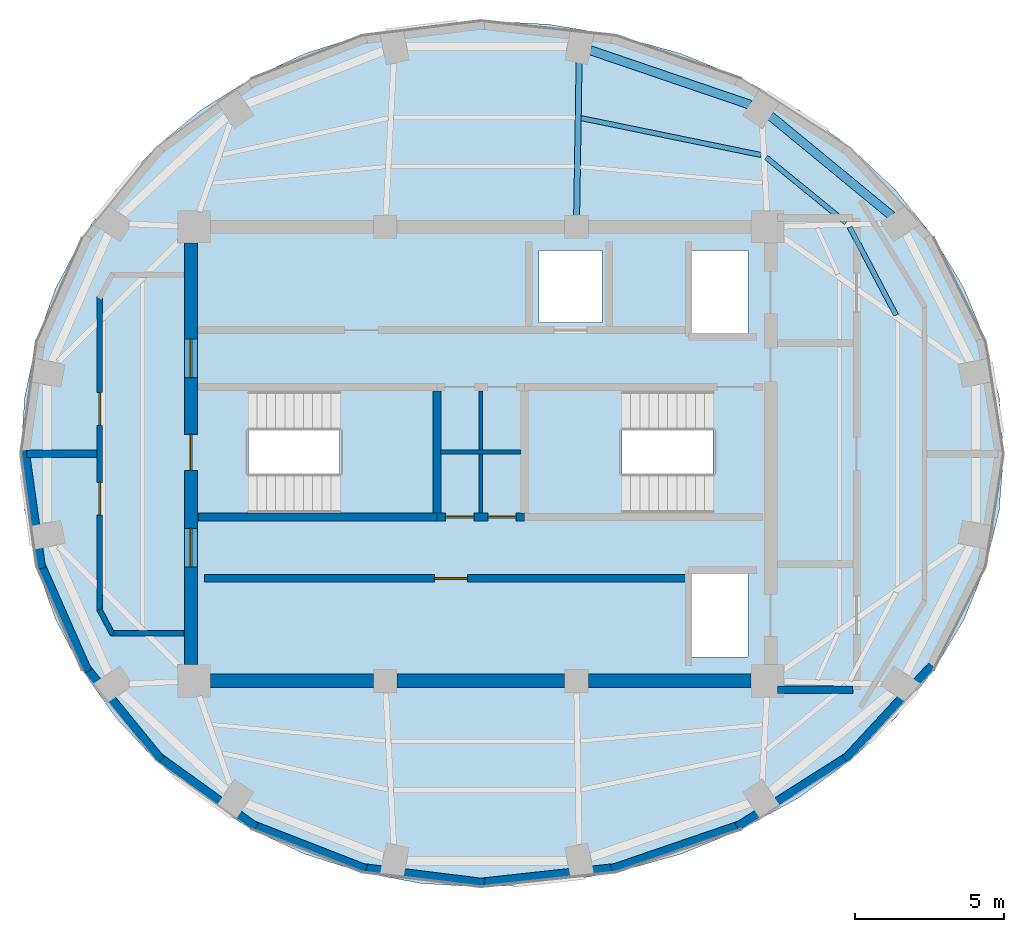
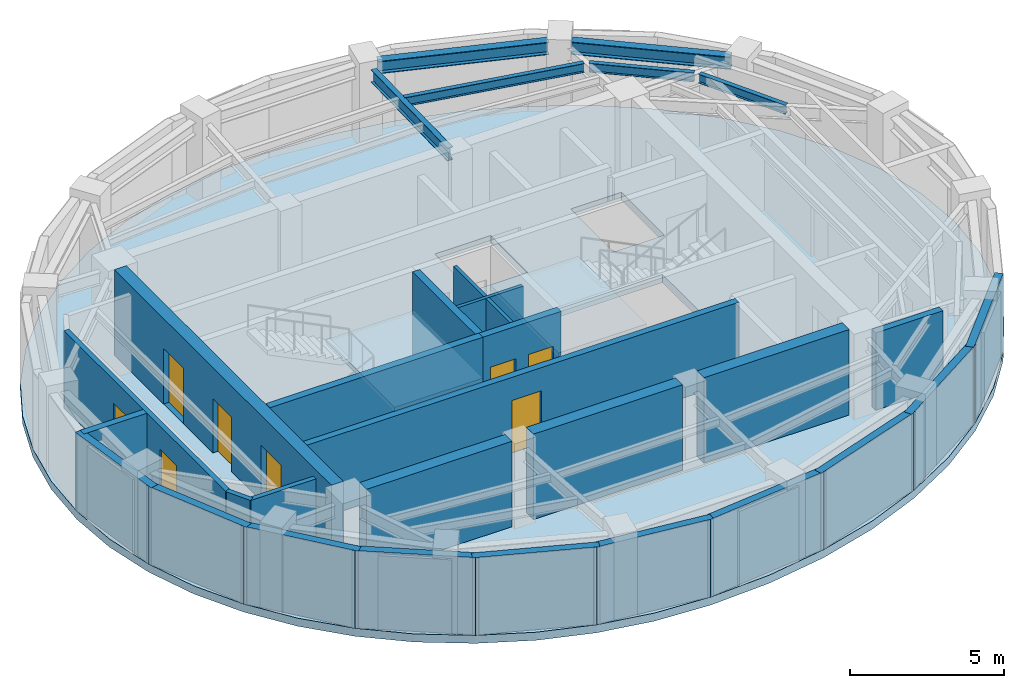
# One storey, part 2 of 5: 25 walls, 8 doors, 6 beams, 3 slabs, 8 openings, 2 elements without a shape of their own.
"""IFC4 building model written with IfcOpenShell, lengths in metres."""

from ifc_helpers import new_model, si_unit, direction, frame, frame_2d, origin, origin_2d, place, context, subcontext, project, spatial, polyline, rectangle, i_section, outline, extrude, material, layer, layer_set, material_profile, profile_set, type_object, element, fill, aggregate, save


model = new_model("IFC4")

# Units and contexts
model_context = context("Model", 3, precision=1e-05, world=origin(), true_north=direction((0.0, 1.0)))
body_context = subcontext(model_context, "Body", "Model", "MODEL_VIEW")
ifc_project = project(units=[si_unit("LENGTHUNIT", "METRE"), si_unit("AREAUNIT", "SQUARE_METRE"), si_unit("VOLUMEUNIT", "CUBIC_METRE"), si_unit("PLANEANGLEUNIT", "RADIAN"), si_unit("MASSUNIT", "GRAM", prefix="KILO")], contexts=[model_context])

# Site, building, storey
site_placement = place(None, origin())
site = spatial("IfcSite", under=ifc_project, at=site_placement, CompositionType="ELEMENT")
building_placement = place(site_placement, origin())
building = spatial("IfcBuilding", under=site, at=building_placement, Name="Lazwardi Medical Tower", CompositionType="ELEMENT")
storey_placement = place(building_placement, frame((0.0, 0.0, 305.8359375)))
storey = spatial("IfcBuildingStorey", under=building, at=storey_placement, Name="L80", CompositionType="ELEMENT", Elevation=305.8359375)

# Beams
ifc_material_1 = material(Name="Steel S355", Category="steel")
ifc_material_profile_1 = material_profile(ifc_material_1, i_section(OverallWidth=0.300048828125, OverallDepth=0.5, WebThickness=0.014404296875, FlangeThickness=0.028076171875, at=origin_2d()), Name="HEB 500")
ifc_profile_set_1 = profile_set([ifc_material_profile_1], Name="Steel S355")
beam_type_1 = type_object("IfcBeamType", Name="BM-RB-Z4", PredefinedType="BEAM", material=ifc_profile_set_1)
beam_1_placement = place(storey_placement, frame((49.75048828125, 35.97021484375, 2.818115234375), z_axis=(-0.772320174437, 0.635233459571, 0.0), x_axis=(-0.635233459571, -0.772320174437, 0.0)))
element("IfcBeam", 1, at=beam_1_placement, inside=storey, type_object=beam_type_1, Name="Ring beam RB-05 B06 L80", PredefinedType="BEAM", context=body_context, shape_type="SweptSolid", body=[
    extrude(i_section(OverallWidth=0.300048828125, OverallDepth=0.5, WebThickness=0.014404296875, FlangeThickness=0.028076171875, at=origin_2d()), origin(), (0.0, 0.0, 1.0), 5.25732421875),
])
beam_2_placement = place(storey_placement, frame((45.02001953125, 39.68310546875, 2.818115234375), z_axis=(-0.94657339, 0.322488476296, 0.0), x_axis=(-0.322488476296, -0.94657339, 0.0)))
element("IfcBeam", 2, at=beam_2_placement, inside=storey, type_object=beam_type_1, Name="Ring beam RB-05 B07 L80", PredefinedType="BEAM", context=body_context, shape_type="SweptSolid", body=[
    extrude(i_section(OverallWidth=0.300048828125, OverallDepth=0.5, WebThickness=0.014404296875, FlangeThickness=0.028076171875, at=origin_2d()), origin(), (0.0, 0.0, 1.0), 5.656005859375),
])
ifc_material_profile_2 = material_profile(ifc_material_1, i_section(OverallWidth=0.199951171875, OverallDepth=0.5, WebThickness=0.01025390625, FlangeThickness=0.01611328125, at=origin_2d()), Name="IPE 500")
ifc_profile_set_2 = profile_set([ifc_material_profile_2], Name="Steel S355")
beam_type_2 = type_object("IfcBeamType", Name="BM-RG-W3", PredefinedType="BEAM", material=ifc_profile_set_2)
beam_3_placement = place(storey_placement, frame((39.288330078125, 41.097900390625, 2.818115234375), z_axis=(-0.016042248199, -0.999871314856, 0.0), x_axis=(0.999871314856, -0.016042248199, 0.0)))
element("IfcBeam", 3, at=beam_3_placement, inside=storey, type_object=beam_type_2, Name="Radial girder RG-04 R08 L80", PredefinedType="BEAM", context=body_context, shape_type="SweptSolid", body=[
    extrude(i_section(OverallWidth=0.199951171875, OverallDepth=0.5, WebThickness=0.01025390625, FlangeThickness=0.01611328125, at=origin_2d()), origin(), (0.0, 0.0, 1.0), 5.113525390625),
])
ifc_material_profile_3 = material_profile(ifc_material_1, i_section(OverallWidth=0.169921875, OverallDepth=0.360107421875, WebThickness=0.008056640625, FlangeThickness=0.0126953125, at=origin_2d()), Name="IPE 360")
ifc_profile_set_3 = profile_set([ifc_material_profile_3], Name="Steel S355")
beam_type_3 = type_object("IfcBeamType", Name="BM-SJ-02", PredefinedType="JOIST", material=ifc_profile_set_3)
beam_4_placement = place(storey_placement, frame((49.897216796875, 32.6416015625, 2.88818359375), z_axis=(-0.466129832602, 0.884716326942, 0.0), x_axis=(-0.884716326942, -0.466129832602, 0.0)))
element("IfcBeam", 4, at=beam_4_placement, inside=storey, type_object=beam_type_3, Name="Secondary joist SJ-02 R1 B05 L80", PredefinedType="JOIST", context=body_context, shape_type="SweptSolid", body=[
    extrude(i_section(OverallWidth=0.169921875, OverallDepth=0.360107421875, WebThickness=0.008056640625, FlangeThickness=0.0126953125, at=origin_2d()), origin(), (0.0, 0.0, 1.0), 3.332763671875),
])
beam_5_placement = place(storey_placement, frame((48.225830078125, 35.734375, 2.88818359375), z_axis=(-0.774431855027, 0.632657333727, 0.0), x_axis=(-0.632657333727, -0.774431855027, 0.0)))
element("IfcBeam", 5, at=beam_5_placement, inside=storey, type_object=beam_type_3, Name="Secondary joist SJ-02 R1 B06 L80", PredefinedType="JOIST", context=body_context, shape_type="SweptSolid", body=[
    extrude(i_section(OverallWidth=0.169921875, OverallDepth=0.360107421875, WebThickness=0.008056640625, FlangeThickness=0.0126953125, at=origin_2d()), origin(), (0.0, 0.0, 1.0), 3.45947265625),
])
beam_6_placement = place(storey_placement, frame((45.3798828125, 38.002197265625, 2.88818359375), z_axis=(-0.979616916129, 0.200874830763, 0.0), x_axis=(-0.200874830763, -0.979616916129, 0.0)))
element("IfcBeam", 6, at=beam_6_placement, inside=storey, type_object=beam_type_3, Name="Secondary joist SJ-02 R1 B07 L80", PredefinedType="JOIST", context=body_context, shape_type="SweptSolid", body=[
    extrude(i_section(OverallWidth=0.169921875, OverallDepth=0.360107421875, WebThickness=0.008056640625, FlangeThickness=0.0126953125, at=origin_2d()), origin(), (0.0, 0.0, 1.0), 6.153564453125),
])

# Stair, slab
ifc_material_2 = material(Name="Concrete C45/55", Category="concrete")
stair_type = type_object("IfcStairType", Name="STR-CRN", PredefinedType="HALF_TURN_STAIR", material=ifc_material_2)
stair_1_placement = place(storey_placement, origin())
stair_1 = element("IfcStair", 7, at=stair_1_placement, inside=storey, type_object=stair_type, Name="L80 Protected Exit Stair ST1", PredefinedType="HALF_TURN_STAIR")
ifc_layer_1 = layer(ifc_material_2, 0.199951171875)
ifc_layer_set_1 = layer_set([ifc_layer_1], Name="Concrete C45/55")
slab_type_1 = type_object("IfcSlabType", Name="SLB-LND-190", PredefinedType="LANDING", material=ifc_layer_set_1)
slab_1_placement = place(storey_placement, frame((0.0, 0.0, 1.494140625)))
slab_1 = element("IfcSlab", 8, at=slab_1_placement, type_object=slab_type_1, Name="ST1 landing 1", PredefinedType="LANDING", context=body_context, shape_type="SweptSolid", body=[
    extrude(outline(polyline([(31.27490234375, 25.840087890625), (34.580078125, 25.840087890625), (34.580078125, 30.280029296875), (31.27490234375, 30.280029296875), (31.27490234375, 25.840087890625)])), origin(), (0.0, 0.0, 1.0), 0.199951171875),
])
aggregate(stair_1, [slab_1])

stair_2_placement = place(storey_placement, origin())
stair_2 = element("IfcStair", 9, at=stair_2_placement, inside=storey, type_object=stair_type, Name="L80 Protected Exit Stair ST2", PredefinedType="HALF_TURN_STAIR")
slab_2_placement = place(storey_placement, frame((0.0, 0.0, 1.494140625)))
slab_2 = element("IfcSlab", 10, at=slab_2_placement, type_object=slab_type_1, Name="ST2 landing 1", PredefinedType="LANDING", context=body_context, shape_type="SweptSolid", body=[
    extrude(outline(polyline([(40.72509765625, 30.280029296875), (37.419921875, 30.280029296875), (37.419921875, 25.840087890625), (40.72509765625, 25.840087890625), (40.72509765625, 30.280029296875)])), origin(), (0.0, 0.0, 1.0), 0.199951171875),
])
aggregate(stair_2, [slab_2])

# Slab
ifc_material_3 = material(Name="Concrete C50/60", Category="concrete")
ifc_layer_2 = layer(ifc_material_3, 0.320068359375)
ifc_layer_set_2 = layer_set([ifc_layer_2], Name="Concrete C50/60")
slab_type_2 = type_object("IfcSlabType", Name="SLB-PLT-320", PredefinedType="FLOOR", material=ifc_layer_set_2)
slab_3_placement = place(storey_placement, frame((0.0, 0.0, -0.31982421875)))
element("IfcSlab", 11, at=slab_3_placement, inside=storey, type_object=slab_type_2, Name="Structural floor slab SF-05 L80", PredefinedType="FLOOR", context=body_context, shape_type="SweptSolid", body=[
    extrude(outline(polyline([(28.300048828125, 15.442626953125), (30.106689453125, 14.603759765625), (32.01416015625, 13.994140625), (33.989990234375, 13.6240234375), (36.0, 13.5), (38.2841796875, 13.6240234375), (40.529296875, 13.994140625), (42.697021484375, 14.603759765625), (44.75, 15.442626953125), (46.6533203125, 16.496337890625), (48.37451171875, 17.7470703125), (49.8837890625, 19.173095703125), (51.155517578125, 20.75), (52.16796875, 22.451171875), (52.90380859375, 24.2470703125), (53.350341796875, 26.107421875), (53.5, 28.0), (53.350341796875, 29.892578125), (52.90380859375, 31.7529296875), (52.16796875, 33.548828125), (51.155517578125, 35.25), (49.8837890625, 36.826904296875), (48.37451171875, 38.2529296875), (46.6533203125, 39.503662109375), (44.75, 40.557373046875), (42.697021484375, 41.396240234375), (40.529296875, 42.005859375), (38.2841796875, 42.3759765625), (36.0, 42.5), (33.989990234375, 42.3759765625), (32.01416015625, 42.005859375), (30.106689453125, 41.396240234375), (28.300048828125, 40.557373046875), (26.625, 39.503662109375), (25.110595703125, 38.2529296875), (23.782470703125, 36.826904296875), (22.6630859375, 35.25), (21.772216796875, 33.548828125), (21.124755859375, 31.7529296875), (20.731689453125, 29.892578125), (20.60009765625, 28.0), (20.731689453125, 26.107421875), (21.124755859375, 24.2470703125), (21.772216796875, 22.451171875), (22.6630859375, 20.75), (23.782470703125, 19.173095703125), (25.110595703125, 17.7470703125), (26.625, 16.496337890625), (28.300048828125, 15.442626953125)]), holes=[polyline([(28.22509765625, 26.02001953125), (28.22509765625, 30.10009765625), (34.39990234375, 30.10009765625), (34.39990234375, 26.02001953125), (28.22509765625, 26.02001953125)]), polyline([(37.60009765625, 30.10009765625), (43.77490234375, 30.10009765625), (43.77490234375, 26.02001953125), (37.60009765625, 26.02001953125), (37.60009765625, 30.10009765625)]), polyline([(40.050048828125, 34.800048828125), (40.050048828125, 32.39990234375), (37.949951171875, 32.39990234375), (37.949951171875, 34.800048828125), (40.050048828125, 34.800048828125)]), polyline([(44.949951171875, 32.0), (43.050048828125, 32.0), (43.050048828125, 34.800048828125), (44.949951171875, 34.800048828125), (44.949951171875, 32.0)]), polyline([(43.050048828125, 21.199951171875), (43.050048828125, 24.0), (44.949951171875, 24.0), (44.949951171875, 21.199951171875), (43.050048828125, 21.199951171875)])]), origin(), (0.0, 0.0, 1.0), 0.31982421875),
])

# Walls
ifc_material_4 = material(Name="Fire-rated gypsum board on steel stud", Category="steel")
ifc_layer_3 = layer(ifc_material_4, 0.179931640625)
ifc_layer_set_3 = layer_set([ifc_layer_3], Name="Fire-rated gypsum board on steel stud")
wall_type_1 = type_object("IfcWallType", Name="WL-COR-180", PredefinedType="PARTITIONING", material=ifc_layer_set_3)
wall_1_placement = place(storey_placement, frame((26.06005859375, 22.0, 0.0), z_axis=(0.0, 0.0, 1.0), x_axis=(-1.0, 0.0, 0.0)))
element("IfcWall", 12, at=wall_1_placement, inside=storey, type_object=wall_type_1, Name="L80 Corridor partition 4", PredefinedType="PARTITIONING", context=body_context, shape_type="SweptSolid", body=[
    extrude(rectangle(XDim=2.446533203125, YDim=0.179931640625, at=frame_2d((1.22314453125, 0.0))), origin(), (0.0, 0.0, 1.0), 3.068115234375),
])
wall_2_placement = place(storey_placement, frame((23.672119140625, 21.964599609375, 0.0), z_axis=(0.0, 0.0, 1.0), x_axis=(-0.466427533163, 0.884559413667, 0.0)))
element("IfcWall", 13, at=wall_2_placement, inside=storey, type_object=wall_type_1, Name="L80 Corridor partition 5", PredefinedType="PARTITIONING", context=body_context, shape_type="SweptSolid", body=[
    extrude(rectangle(XDim=0.9453125, YDim=0.179931640625, at=frame_2d((0.47265625, 0.0))), origin(), (0.0, 0.0, 1.0), 3.068115234375),
])

# Wall, openings, doors
wall_3_placement = place(storey_placement, frame((23.25, 22.725341796875, 0.0), z_axis=(0.0, 0.0, 1.0), x_axis=(0.0, 1.0, 0.0)))
wall_3 = element("IfcWall", 14, at=wall_3_placement, inside=storey, type_object=wall_type_1, Name="L80 Corridor partition 6", PredefinedType="PARTITIONING", context=body_context, shape_type="SweptSolid", body=[
    extrude(rectangle(XDim=10.54931640625, YDim=0.179931640625, at=frame_2d((5.274658203125, 0.0))), origin(), (0.0, 0.0, 1.0), 3.068115234375),
])
opening_1_placement = place(wall_3_placement, frame((3.221435546875, 0.0, 0.0)))
opening_1 = element("IfcOpeningElement", 15, at=opening_1_placement, cuts=wall_3, Name="Opening D-L80-013", PredefinedType="OPENING", context=body_context, shape_type="SweptSolid", body=[
    extrude(rectangle(XDim=1.10009765625, YDim=2.14990234375, at=frame_2d((0.550048828125, 1.074951171875))), frame((0.0, 0.099853515625, 0.0), z_axis=(0.0, -1.0, 0.0), x_axis=(1.0, 0.0, 0.0)), (0.0, 0.0, 1.0), 0.199951171875),
])
opening_2_placement = place(wall_3_placement, frame((6.22802734375, 0.0, 0.0)))
opening_2 = element("IfcOpeningElement", 16, at=opening_2_placement, cuts=wall_3, Name="Opening D-L80-014", PredefinedType="OPENING", context=body_context, shape_type="SweptSolid", body=[
    extrude(rectangle(XDim=1.10009765625, YDim=2.14990234375, at=frame_2d((0.550048828125, 1.074951171875))), frame((0.0, 0.099853515625, 0.0), z_axis=(0.0, -1.0, 0.0), x_axis=(1.0, 0.0, 0.0)), (0.0, 0.0, 1.0), 0.199951171875),
])
ifc_material_5 = material(Name="Fire-rated steel leaf and frame", Category="steel")
door_type_1 = type_object("IfcDoorType", Name="DR-PLT-1100", OperationType="NOTDEFINED", PredefinedType="DOOR", material=ifc_material_5)
door_1_placement = place(opening_1_placement, origin())
door_1 = element("IfcDoor", 17, at=door_1_placement, inside=storey, type_object=door_type_1, Name="L80 Chiller Plant Room Door 01", OperationType="SINGLE_SWING_RIGHT", OverallHeight=2.14990234375, OverallWidth=1.10009765625, PredefinedType="DOOR", context=body_context, shape_type="SweptSolid", body=[
    extrude(rectangle(XDim=1.10009765625, YDim=2.14990234375, at=frame_2d((0.550048828125, 1.074951171875))), frame((0.0, 0.02490234375, 0.0), z_axis=(0.0, -1.0, 0.0), x_axis=(1.0, 0.0, 0.0)), (0.0, 0.0, 1.0), 0.050048828125),
])
fill(opening_1, door_1)
door_2_placement = place(opening_2_placement, origin())
door_2 = element("IfcDoor", 18, at=door_2_placement, inside=storey, type_object=door_type_1, Name="L80 AHU Plant Room Door 02", OperationType="SINGLE_SWING_LEFT", OverallHeight=2.14990234375, OverallWidth=1.10009765625, PredefinedType="DOOR", context=body_context, shape_type="SweptSolid", body=[
    extrude(rectangle(XDim=1.10009765625, YDim=2.14990234375, at=frame_2d((0.550048828125, 1.074951171875))), frame((0.0, 0.02490234375, 0.0), z_axis=(0.0, -1.0, 0.0), x_axis=(1.0, 0.0, 0.0)), (0.0, 0.0, 1.0), 0.050048828125),
])
fill(opening_2, door_2)

ifc_material_6 = material(Name="Concrete C60/75", Category="concrete")
ifc_layer_4 = layer(ifc_material_6, 0.449951171875)
ifc_layer_set_4 = layer_set([ifc_layer_4], Name="Concrete C60/75")
wall_type_2 = type_object("IfcWallType", Name="WL-CORE-450", PredefinedType="SHEAR", material=ifc_layer_set_4)
wall_4_placement = place(storey_placement, frame((26.300048828125, 20.949951171875, 0.0), z_axis=(0.0, 0.0, 1.0), x_axis=(0.0, 1.0, 0.0)))
wall_4 = element("IfcWall", 19, at=wall_4_placement, inside=storey, type_object=wall_type_2, Name="Core wall CW-S4 west L80", PredefinedType="SHEAR", context=body_context, shape_type="SweptSolid", body=[
    extrude(rectangle(XDim=14.10009765625, YDim=0.449951171875, at=frame_2d((7.050048828125, 0.0))), origin(), (0.0, 0.0, 1.0), 3.38818359375),
])
opening_3_placement = place(wall_4_placement, frame((6.5, 0.0, 0.0)))
opening_3 = element("IfcOpeningElement", 20, at=opening_3_placement, cuts=wall_4, Name="Opening D-L80-015", PredefinedType="OPENING", context=body_context, shape_type="SweptSolid", body=[
    extrude(rectangle(XDim=1.199951171875, YDim=2.14990234375, at=frame_2d((0.60009765625, 1.074951171875))), frame((0.0, 0.23486328125, 0.0), z_axis=(0.0, -1.0, 0.0), x_axis=(1.0, 0.0, 0.0)), (0.0, 0.0, 1.0), 0.469970703125),
])
opening_4_placement = place(wall_4_placement, frame((9.60009765625, 0.0, 0.0)))
opening_4 = element("IfcOpeningElement", 21, at=opening_4_placement, cuts=wall_4, Name="Opening D-L80-009", PredefinedType="OPENING", context=body_context, shape_type="SweptSolid", body=[
    extrude(rectangle(XDim=1.300048828125, YDim=2.199951171875, at=frame_2d((0.64990234375, 1.10009765625))), frame((0.0, 0.23486328125, 0.0), z_axis=(0.0, -1.0, 0.0), x_axis=(1.0, 0.0, 0.0)), (0.0, 0.0, 1.0), 0.469970703125),
])
opening_5_placement = place(wall_4_placement, frame((3.260009765625, 0.0, 0.0)))
opening_5 = element("IfcOpeningElement", 22, at=opening_5_placement, cuts=wall_4, Name="Opening D-L80-010", PredefinedType="OPENING", context=body_context, shape_type="SweptSolid", body=[
    extrude(rectangle(XDim=1.300048828125, YDim=2.199951171875, at=frame_2d((0.64990234375, 1.10009765625))), frame((0.0, 0.23486328125, 0.0), z_axis=(0.0, -1.0, 0.0), x_axis=(1.0, 0.0, 0.0)), (0.0, 0.0, 1.0), 0.469970703125),
])
door_type_2 = type_object("IfcDoorType", Name="DR-FFL-1300", OperationType="NOTDEFINED", PredefinedType="DOOR", material=ifc_material_5)
door_3_placement = place(opening_4_placement, origin())
door_3 = element("IfcDoor", 23, at=door_3_placement, inside=storey, type_object=door_type_2, Name="L80 North Lift Lobby Door", OperationType="SINGLE_SWING_RIGHT", OverallHeight=2.199951171875, OverallWidth=1.300048828125, PredefinedType="DOOR", context=body_context, shape_type="SweptSolid", body=[
    extrude(rectangle(XDim=1.300048828125, YDim=2.199951171875, at=frame_2d((0.64990234375, 1.10009765625))), frame((0.0, 0.02490234375, 0.0), z_axis=(0.0, -1.0, 0.0), x_axis=(1.0, 0.0, 0.0)), (0.0, 0.0, 1.0), 0.050048828125),
])
fill(opening_4, door_3)
door_4_placement = place(opening_5_placement, origin())
door_4 = element("IfcDoor", 24, at=door_4_placement, inside=storey, type_object=door_type_2, Name="L80 South Lift Lobby Door", OperationType="SINGLE_SWING_LEFT", OverallHeight=2.199951171875, OverallWidth=1.300048828125, PredefinedType="DOOR", context=body_context, shape_type="SweptSolid", body=[
    extrude(rectangle(XDim=1.300048828125, YDim=2.199951171875, at=frame_2d((0.64990234375, 1.10009765625))), frame((0.0, 0.02490234375, 0.0), z_axis=(0.0, -1.0, 0.0), x_axis=(1.0, 0.0, 0.0)), (0.0, 0.0, 1.0), 0.050048828125),
])
fill(opening_5, door_4)
door_type_3 = type_object("IfcDoorType", Name="DR-STR-1200", OperationType="NOTDEFINED", PredefinedType="DOOR", material=ifc_material_5)
door_5_placement = place(opening_3_placement, origin())
door_5 = element("IfcDoor", 25, at=door_5_placement, inside=storey, type_object=door_type_3, Name="L80 Exit Stair ST1 Door", OperationType="SINGLE_SWING_RIGHT", OverallHeight=2.14990234375, OverallWidth=1.199951171875, PredefinedType="DOOR", context=body_context, shape_type="SweptSolid", body=[
    extrude(rectangle(XDim=1.199951171875, YDim=2.14990234375, at=frame_2d((0.60009765625, 1.074951171875))), frame((0.0, 0.02490234375, 0.0), z_axis=(0.0, -1.0, 0.0), x_axis=(1.0, 0.0, 0.0)), (0.0, 0.0, 1.0), 0.050048828125),
])
fill(opening_3, door_5)

# Walls
wall_5_placement = place(storey_placement, frame((26.949951171875, 20.39990234375, 0.0), z_axis=(0.0, 0.0, 1.0), x_axis=(1.0, 0.0, 0.0)))
element("IfcWall", 26, at=wall_5_placement, inside=storey, type_object=wall_type_2, Name="Core wall CW-S4 S1 L80", PredefinedType="SHEAR", context=body_context, shape_type="SweptSolid", body=[
    extrude(rectangle(XDim=5.449951171875, YDim=0.449951171875, at=frame_2d((2.72509765625, 0.0))), origin(), (0.0, 0.0, 1.0), 3.38818359375),
])
wall_6_placement = place(storey_placement, frame((33.199951171875, 20.39990234375, 0.0), z_axis=(0.0, 0.0, 1.0), x_axis=(1.0, 0.0, 0.0)))
element("IfcWall", 27, at=wall_6_placement, inside=storey, type_object=wall_type_2, Name="Core wall CW-S4 S2 L80", PredefinedType="SHEAR", context=body_context, shape_type="SweptSolid", body=[
    extrude(rectangle(XDim=5.60009765625, YDim=0.449951171875, at=frame_2d((2.800048828125, 0.0))), origin(), (0.0, 0.0, 1.0), 3.38818359375),
])
wall_7_placement = place(storey_placement, frame((39.60009765625, 20.39990234375, 0.0), z_axis=(0.0, 0.0, 1.0), x_axis=(1.0, 0.0, 0.0)))
element("IfcWall", 28, at=wall_7_placement, inside=storey, type_object=wall_type_2, Name="Core wall CW-S4 S3 L80", PredefinedType="SHEAR", context=body_context, shape_type="SweptSolid", body=[
    extrude(rectangle(XDim=5.449951171875, YDim=0.449951171875, at=frame_2d((2.72509765625, 0.0))), origin(), (0.0, 0.0, 1.0), 3.38818359375),
])
ifc_material_7 = material(Name="Precast concrete C45/55", Category="concrete")
ifc_layer_5 = layer(ifc_material_7, 0.280029296875)
ifc_layer_set_5 = layer_set([ifc_layer_5], Name="Precast concrete C45/55")
wall_type_3 = type_object("IfcWallType", Name="WL-DRUM-280", PredefinedType="SOLIDWALL", material=ifc_layer_set_5)
wall_8_placement = place(storey_placement, frame((35.880615234375, 13.64697265625, 0.0), z_axis=(0.0, 0.0, 1.0), x_axis=(0.994124299368, 0.108244525985, 0.0)))
element("IfcWall", 29, at=wall_8_placement, inside=storey, type_object=wall_type_3, Name="L80 Crown Plant Drum Wall 01", PredefinedType="SOLIDWALL", context=body_context, shape_type="SweptSolid", body=[
    extrude(rectangle(XDim=4.75439453125, YDim=0.280029296875, at=frame_2d((2.377197265625, 0.0))), origin(), (0.0, 0.0, 1.0), 3.068115234375),
])
wall_9_placement = place(storey_placement, frame((40.37451171875, 14.109619140625, 0.0), z_axis=(0.0, 0.0, 1.0), x_axis=(0.946020767408, 0.324106012955, 0.0)))
element("IfcWall", 30, at=wall_9_placement, inside=storey, type_object=wall_type_3, Name="L80 Crown Plant Drum Wall 02", PredefinedType="SOLIDWALL", context=body_context, shape_type="SweptSolid", body=[
    extrude(rectangle(XDim=4.660400390625, YDim=0.280029296875, at=frame_2d((2.330078125, 0.0))), origin(), (0.0, 0.0, 1.0), 3.068115234375),
])
wall_10_placement = place(storey_placement, frame((44.568603515625, 15.516845703125, 0.0), z_axis=(0.0, 0.0, 1.0), x_axis=(0.84435210997, 0.535788684454, 0.0)))
element("IfcWall", 31, at=wall_10_placement, inside=storey, type_object=wall_type_3, Name="L80 Crown Plant Drum Wall 03", PredefinedType="SOLIDWALL", context=body_context, shape_type="SweptSolid", body=[
    extrude(rectangle(XDim=4.493408203125, YDim=0.280029296875, at=frame_2d((2.24658203125, 0.0))), origin(), (0.0, 0.0, 1.0), 3.068115234375),
])
wall_11_placement = place(storey_placement, frame((48.1796875, 17.772216796875, 0.0), z_axis=(0.0, 0.0, 1.0), x_axis=(0.680156447476, 0.733066986678, 0.0)))
element("IfcWall", 32, at=wall_11_placement, inside=storey, type_object=wall_type_3, Name="L80 Crown Plant Drum Wall 04", PredefinedType="SOLIDWALL", context=body_context, shape_type="SweptSolid", body=[
    extrude(rectangle(XDim=4.291259765625, YDim=0.280029296875, at=frame_2d((2.1455078125, 0.0))), origin(), (0.0, 0.0, 1.0), 3.068115234375),
])
wall_12_placement = place(storey_placement, frame((20.743408203125, 28.118896484375, 0.0), z_axis=(0.0, 0.0, 1.0), x_axis=(0.13854936703, -0.990355528533, 0.0)))
element("IfcWall", 33, at=wall_12_placement, inside=storey, type_object=wall_type_3, Name="L80 Crown Plant Drum Wall 19", PredefinedType="SOLIDWALL", context=body_context, shape_type="SweptSolid", body=[
    extrude(rectangle(XDim=3.98779296875, YDim=0.280029296875, at=frame_2d((1.993896484375, 0.0))), origin(), (0.0, 0.0, 1.0), 3.068115234375),
])
wall_13_placement = place(storey_placement, frame((21.23095703125, 24.398193359375, 0.0), z_axis=(0.0, 0.0, 1.0), x_axis=(0.402911662576, -0.915238871639, 0.0)))
element("IfcWall", 34, at=wall_13_placement, inside=storey, type_object=wall_type_3, Name="L80 Crown Plant Drum Wall 20", PredefinedType="SOLIDWALL", context=body_context, shape_type="SweptSolid", body=[
    extrude(rectangle(XDim=4.0185546875, YDim=0.280029296875, at=frame_2d((2.00927734375, 0.0))), origin(), (0.0, 0.0, 1.0), 3.068115234375),
])
wall_14_placement = place(storey_placement, frame((22.72607421875, 20.923095703125, 0.0), z_axis=(0.0, 0.0, 1.0), x_axis=(0.631957150792, -0.775003328743, 0.0)))
element("IfcWall", 35, at=wall_14_placement, inside=storey, type_object=wall_type_3, Name="L80 Crown Plant Drum Wall 21", PredefinedType="SOLIDWALL", context=body_context, shape_type="SweptSolid", body=[
    extrude(rectangle(XDim=4.072265625, YDim=0.280029296875, at=frame_2d((2.0361328125, 0.0))), origin(), (0.0, 0.0, 1.0), 3.068115234375),
])
wall_15_placement = place(storey_placement, frame((25.12646484375, 17.930419921875, 0.0), z_axis=(0.0, 0.0, 1.0), x_axis=(0.810749316968, -0.585393495895, 0.0)))
element("IfcWall", 36, at=wall_15_placement, inside=storey, type_object=wall_type_3, Name="L80 Crown Plant Drum Wall 22", PredefinedType="SOLIDWALL", context=body_context, shape_type="SweptSolid", body=[
    extrude(rectangle(XDim=4.133056640625, YDim=0.280029296875, at=frame_2d((2.06640625, 0.0))), origin(), (0.0, 0.0, 1.0), 3.068115234375),
])
wall_16_placement = place(storey_placement, frame((28.268310546875, 15.624755859375, 0.0), z_axis=(0.0, 0.0, 1.0), x_axis=(0.931727407844, -0.363158419249, 0.0)))
element("IfcWall", 37, at=wall_16_placement, inside=storey, type_object=wall_type_3, Name="L80 Crown Plant Drum Wall 23", PredefinedType="SOLIDWALL", context=body_context, shape_type="SweptSolid", body=[
    extrude(rectangle(XDim=4.184814453125, YDim=0.280029296875, at=frame_2d((2.09228515625, 0.0))), origin(), (0.0, 0.0, 1.0), 3.068115234375),
])
wall_17_placement = place(storey_placement, frame((31.9365234375, 14.163330078125, 0.0), z_axis=(0.0, 0.0, 1.0), x_axis=(0.992416279723, -0.122922446041, 0.0)))
element("IfcWall", 38, at=wall_17_placement, inside=storey, type_object=wall_type_3, Name="L80 Crown Plant Drum Wall 24", PredefinedType="SOLIDWALL", context=body_context, shape_type="SweptSolid", body=[
    extrude(rectangle(XDim=4.214599609375, YDim=0.280029296875, at=frame_2d((2.107421875, 0.0))), origin(), (0.0, 0.0, 1.0), 3.068115234375),
])
ifc_material_8 = material(Name="Moisture-resistant gypsum board partition")
ifc_layer_6 = layer(ifc_material_8, 0.125)
ifc_layer_set_6 = layer_set([ifc_layer_6], Name="Moisture-resistant gypsum board partition")
wall_type_4 = type_object("IfcWallType", Name="WL-ENS-125", PredefinedType="PARTITIONING", material=ifc_layer_set_6)
wall_18_placement = place(storey_placement, frame((34.64990234375, 28.06005859375, 0.0), z_axis=(0.0, 0.0, 1.0), x_axis=(1.0, 0.0, 0.0)))
element("IfcWall", 39, at=wall_18_placement, inside=storey, type_object=wall_type_4, Name="L80 Core 4-way H divider", PredefinedType="PARTITIONING", context=body_context, shape_type="SweptSolid", body=[
    extrude(rectangle(XDim=2.7001953125, YDim=0.125, at=frame_2d((1.35009765625, 0.0))), origin(), (0.0, 0.0, 1.0), 3.068115234375),
])
wall_19_placement = place(storey_placement, frame((36.0, 26.02001953125, 0.0), z_axis=(0.0, 0.0, 1.0), x_axis=(0.0, 1.0, 0.0)))
element("IfcWall", 40, at=wall_19_placement, inside=storey, type_object=wall_type_4, Name="L80 Core 4-way V divider", PredefinedType="PARTITIONING", context=body_context, shape_type="SweptSolid", body=[
    extrude(rectangle(XDim=4.080078125, YDim=0.125, at=frame_2d((2.0400390625, 0.0))), origin(), (0.0, 0.0, 1.0), 3.068115234375),
])

# Wall, opening, door
ifc_material_9 = material(Name="Autoclaved aerated concrete blockwork", Category="masonry")
ifc_layer_7 = layer(ifc_material_9, 0.25)
ifc_layer_set_7 = layer_set([ifc_layer_7], Name="Autoclaved aerated concrete blockwork")
wall_type_5 = type_object("IfcWallType", Name="WL-SHAFT-250", PredefinedType="SOLIDWALL", material=ifc_layer_set_7)
wall_20_placement = place(storey_placement, frame((26.75, 23.830078125, 0.0), z_axis=(0.0, 0.0, 1.0), x_axis=(1.0, 0.0, 0.0)))
wall_20 = element("IfcWall", 41, at=wall_20_placement, inside=storey, type_object=wall_type_5, Name="L80 South lift bank front wall", PredefinedType="SOLIDWALL", context=body_context, shape_type="SweptSolid", body=[
    extrude(rectangle(XDim=16.199951171875, YDim=0.25, at=frame_2d((8.10009765625, 0.0))), origin(), (0.0, 0.0, 1.0), 3.068115234375),
])
opening_6_placement = place(wall_20_placement, frame((7.699951171875, 0.0, 0.0)))
opening_6 = element("IfcOpeningElement", 42, at=opening_6_placement, cuts=wall_20, Name="Opening D-L80-012", PredefinedType="OPENING", context=body_context, shape_type="SweptSolid", body=[
    extrude(rectangle(XDim=1.10009765625, YDim=2.14990234375, at=frame_2d((0.550048828125, 1.074951171875))), frame((0.0, 0.135009765625, 0.0), z_axis=(0.0, -1.0, 0.0), x_axis=(1.0, 0.0, 0.0)), (0.0, 0.0, 1.0), 0.27001953125),
])
door_6_placement = place(opening_6_placement, origin())
door_6 = element("IfcDoor", 43, at=door_6_placement, inside=storey, type_object=door_type_1, Name="L80 Lift Machine Room South Door", OperationType="SINGLE_SWING_LEFT", OverallHeight=2.14990234375, OverallWidth=1.10009765625, PredefinedType="DOOR", context=body_context, shape_type="SweptSolid", body=[
    extrude(rectangle(XDim=1.10009765625, YDim=2.14990234375, at=frame_2d((0.550048828125, 1.074951171875))), frame((0.0, 0.02490234375, 0.0), z_axis=(0.0, -1.0, 0.0), x_axis=(1.0, 0.0, 0.0)), (0.0, 0.0, 1.0), 0.050048828125),
])
fill(opening_6, door_6)

# Walls
wall_21_placement = place(storey_placement, frame((45.929931640625, 20.10009765625, 0.0), z_axis=(0.0, 0.0, 1.0), x_axis=(1.0, 0.0, 0.0)))
element("IfcWall", 44, at=wall_21_placement, inside=storey, type_object=wall_type_5, Name="L80 Crown FFL-S South wall", PredefinedType="SOLIDWALL", context=body_context, shape_type="SweptSolid", body=[
    extrude(rectangle(XDim=2.52001953125, YDim=0.25, at=frame_2d((1.260009765625, 0.0))), origin(), (0.0, 0.0, 1.0), 3.068115234375),
])
wall_22_placement = place(storey_placement, frame((20.794921875, 28.0, 0.0), z_axis=(0.0, 0.0, 1.0), x_axis=(1.0, 0.0, 0.0)))
element("IfcWall", 45, at=wall_22_placement, inside=storey, type_object=wall_type_5, Name="L80 Room partition 1", PredefinedType="SOLIDWALL", context=body_context, shape_type="SweptSolid", body=[
    extrude(rectangle(XDim=2.364990234375, YDim=0.25, at=frame_2d((1.1826171875, 0.0))), origin(), (0.0, 0.0, 1.0), 3.068115234375),
])
ifc_layer_8 = layer(ifc_material_3, 0.27001953125)
ifc_layer_set_8 = layer_set([ifc_layer_8], Name="Concrete C50/60")
wall_type_6 = type_object("IfcWallType", Name="WL-STR-250", PredefinedType="SHEAR", material=ifc_layer_set_8)
wall_23_placement = place(storey_placement, frame((26.550048828125, 25.885009765625, 0.0), z_axis=(0.0, 0.0, 1.0), x_axis=(1.0, 0.0, 0.0)))
element("IfcWall", 46, at=wall_23_placement, inside=storey, type_object=wall_type_6, Name="L80 ST1 South shear shaft wall SW-S1", PredefinedType="SHEAR", context=body_context, shape_type="SweptSolid", body=[
    extrude(rectangle(XDim=7.98486328125, YDim=0.27001953125, at=frame_2d((3.992431640625, 0.0))), origin(), (0.0, 0.0, 1.0), 3.38818359375),
])

# Wall, openings, doors
wall_24_placement = place(storey_placement, frame((34.534912109375, 25.885009765625, 0.0), z_axis=(0.0, 0.0, 1.0), x_axis=(1.0, 0.0, 0.0)))
wall_24 = element("IfcWall", 47, at=wall_24_placement, inside=storey, type_object=wall_type_6, Name="L80 Core service South shear wall SW-S1", PredefinedType="SHEAR", context=body_context, shape_type="SweptSolid", body=[
    extrude(rectangle(XDim=2.93017578125, YDim=0.27001953125, at=frame_2d((1.465087890625, 0.0))), origin(), (0.0, 0.0, 1.0), 3.38818359375),
])
opening_7_placement = place(wall_24_placement, frame((0.280029296875, 0.0, 0.0)))
opening_7 = element("IfcOpeningElement", 48, at=opening_7_placement, cuts=wall_24, Name="Opening D-L80-001", PredefinedType="OPENING", context=body_context, shape_type="SweptSolid", body=[
    extrude(rectangle(XDim=0.949951171875, YDim=2.10009765625, at=frame_2d((0.47509765625, 1.050048828125))), frame((0.0, 0.14501953125, 0.0), z_axis=(0.0, -1.0, 0.0), x_axis=(1.0, 0.0, 0.0)), (0.0, 0.0, 1.0), 0.2900390625),
])
opening_8_placement = place(wall_24_placement, frame((1.699951171875, 0.0, 0.0)))
opening_8 = element("IfcOpeningElement", 49, at=opening_8_placement, cuts=wall_24, Name="Opening D-L80-002", PredefinedType="OPENING", context=body_context, shape_type="SweptSolid", body=[
    extrude(rectangle(XDim=0.949951171875, YDim=2.10009765625, at=frame_2d((0.47509765625, 1.050048828125))), frame((0.0, 0.14501953125, 0.0), z_axis=(0.0, -1.0, 0.0), x_axis=(1.0, 0.0, 0.0)), (0.0, 0.0, 1.0), 0.2900390625),
])
ifc_material_10 = material(Name="Moisture-resistant laminate door leaf")
door_type_4 = type_object("IfcDoorType", Name="DR-ENS-950", OperationType="NOTDEFINED", PredefinedType="DOOR", material=ifc_material_10)
door_7_placement = place(opening_7_placement, origin())
door_7 = element("IfcDoor", 50, at=door_7_placement, inside=storey, type_object=door_type_4, Name="L80 Staff WC Door", OperationType="SINGLE_SWING_RIGHT", OverallHeight=2.10009765625, OverallWidth=0.949951171875, PredefinedType="DOOR", context=body_context, shape_type="SweptSolid", body=[
    extrude(rectangle(XDim=0.949951171875, YDim=2.10009765625, at=frame_2d((0.47509765625, 1.050048828125))), frame((0.0, 0.02490234375, 0.0), z_axis=(0.0, -1.0, 0.0), x_axis=(1.0, 0.0, 0.0)), (0.0, 0.0, 1.0), 0.050048828125),
])
fill(opening_7, door_7)
door_8_placement = place(opening_8_placement, origin())
door_8 = element("IfcDoor", 51, at=door_8_placement, inside=storey, type_object=door_type_4, Name="L80 Comms Room Door", OperationType="SINGLE_SWING_LEFT", OverallHeight=2.10009765625, OverallWidth=0.949951171875, PredefinedType="DOOR", context=body_context, shape_type="SweptSolid", body=[
    extrude(rectangle(XDim=0.949951171875, YDim=2.10009765625, at=frame_2d((0.47509765625, 1.050048828125))), frame((0.0, 0.02490234375, 0.0), z_axis=(0.0, -1.0, 0.0), x_axis=(1.0, 0.0, 0.0)), (0.0, 0.0, 1.0), 0.050048828125),
])
fill(opening_8, door_8)

# Wall
wall_25_placement = place(storey_placement, frame((34.534912109375, 26.02001953125, 0.0), z_axis=(0.0, 0.0, 1.0), x_axis=(0.0, 1.0, 0.0)))
element("IfcWall", 52, at=wall_25_placement, inside=storey, type_object=wall_type_6, Name="L80 ST1 East shear shaft wall SW-S1", PredefinedType="SHEAR", context=body_context, shape_type="SweptSolid", body=[
    extrude(rectangle(XDim=4.080078125, YDim=0.27001953125, at=frame_2d((2.0400390625, 0.0))), origin(), (0.0, 0.0, 1.0), 3.38818359375),
])

save(model, "model.ifc")
